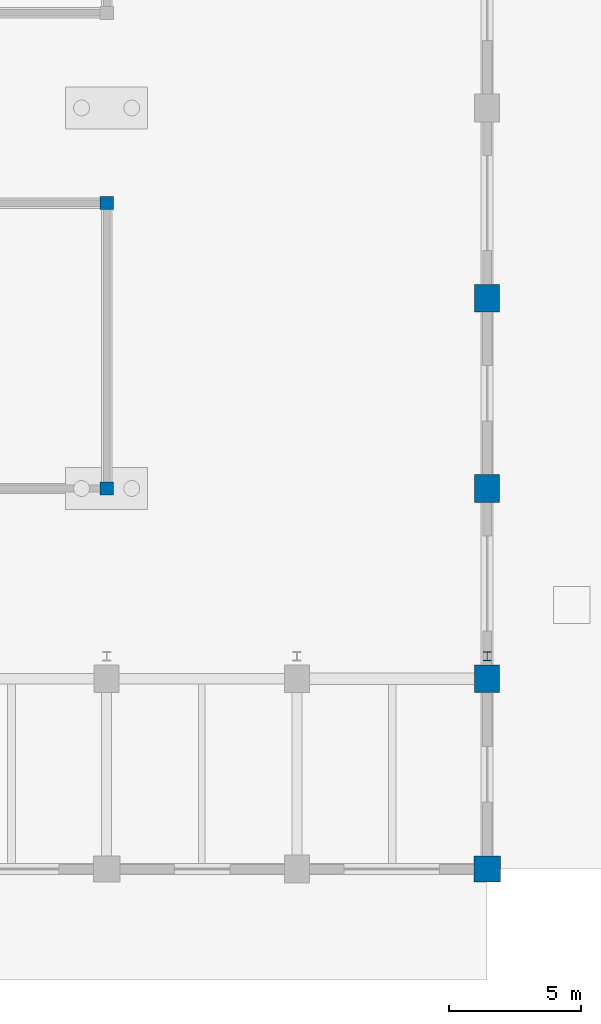
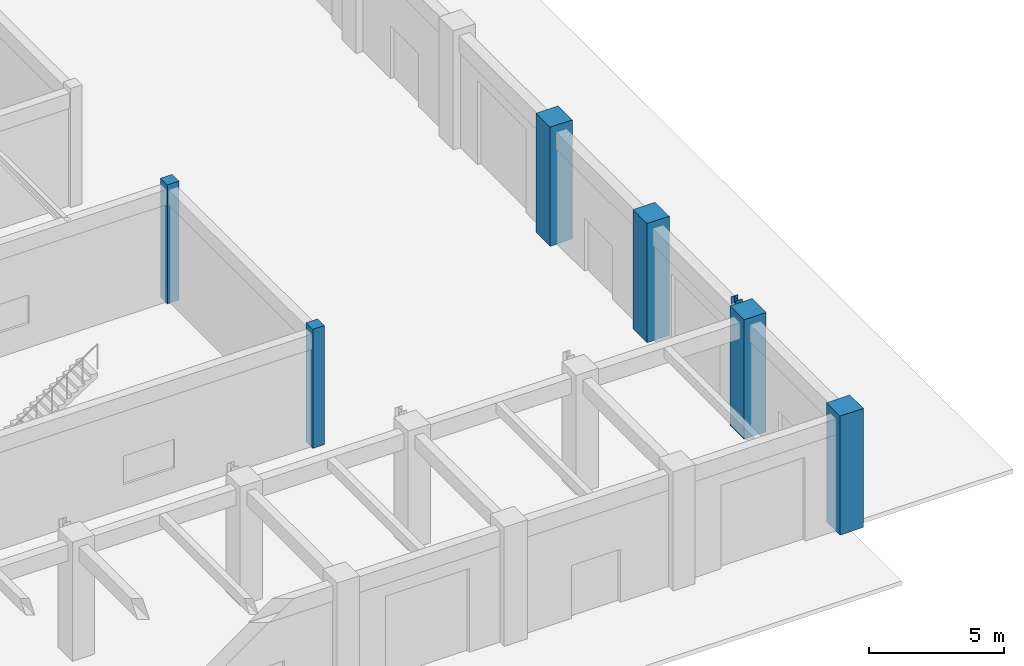
# One storey, part 10 of 160: 7 columns.
"""IFC4 building model written with IfcOpenShell, lengths in metres."""

from ifc_helpers import new_model, si_unit, direction, frame, origin, origin_2d, place, context, subcontext, project, spatial, rectangle, i_section, extrude, material, material_profile, profile_set, type_object, element, save


model = new_model("IFC4")

# Units and contexts
model_context = context("Model", 3, precision=1e-05, world=origin(), true_north=direction((0.0, 1.0)))
body_context = subcontext(model_context, "Body", "Model", "MODEL_VIEW")
ifc_project = project(units=[si_unit("LENGTHUNIT", "METRE"), si_unit("AREAUNIT", "SQUARE_METRE"), si_unit("VOLUMEUNIT", "CUBIC_METRE"), si_unit("PLANEANGLEUNIT", "RADIAN"), si_unit("MASSUNIT", "GRAM", prefix="KILO")], contexts=[model_context])

# Site, building, storey
site_placement = place(None, origin())
site = spatial("IfcSite", under=ifc_project, at=site_placement, CompositionType="ELEMENT")
building_placement = place(site_placement, origin())
building = spatial("IfcBuilding", under=site, at=building_placement, Name="Thalmaran Polytechnic", CompositionType="ELEMENT")
storey_placement = place(building_placement, origin())
storey = spatial("IfcBuildingStorey", under=building, at=storey_placement, Name="L00", CompositionType="ELEMENT", Elevation=0.0)

# Columns
ifc_material_1 = material(Name="Concrete C40/50", Category="concrete")
ifc_material_profile_1 = material_profile(ifc_material_1, rectangle(XDim=0.5, YDim=0.5, at=origin_2d()), Name="RC 500x500")
ifc_profile_set_1 = profile_set([ifc_material_profile_1], Name="Concrete C40/50")
column_type_1 = type_object("IfcColumnType", Name="COL-C09", PredefinedType="COLUMN", material=ifc_profile_set_1)
for number, where, z_axis, x_axis, name in (
    (1, (158.39990234375, 14.39990234375, 0.0), (0.0, 0.0, 1.0), (1.0, 0.0, 0.0), "POD2 Frame Column L00"),
    (2, (158.39990234375, 25.199951171875, 0.0), (0.0, 0.0, 1.0), (1.0, 0.0, 0.0), "POD2 Frame Column L00"),
):
    element("IfcColumn", number, at=place(storey_placement, frame(where, z_axis=z_axis, x_axis=x_axis)), inside=storey, type_object=column_type_1, Name=name, PredefinedType="COLUMN", context=body_context, shape_type="SweptSolid", body=[
        extrude(rectangle(XDim=0.5, YDim=0.5, at=origin_2d()), origin(), (0.0, 0.0, 1.0), 5.39990234375),
    ])
ifc_material_2 = material(Name="Steel S355", Category="steel")
ifc_material_profile_2 = material_profile(ifc_material_2, i_section(OverallWidth=0.300048828125, OverallDepth=0.340087890625, WebThickness=0.011962890625, FlangeThickness=0.021484375, at=origin_2d()), Name="HEB 340")
ifc_profile_set_2 = profile_set([ifc_material_profile_2], Name="Steel S355")
column_type_2 = type_object("IfcColumnType", Name="COL-SC1", PredefinedType="COLUMN", material=ifc_profile_set_2)
column_1_placement = place(storey_placement, frame((172.800048828125, 8.050048828125, 0.0), z_axis=(0.0, 0.0, 1.0), x_axis=(1.0, 0.0, 0.0)))
element("IfcColumn", 3, at=column_1_placement, inside=storey, type_object=column_type_2, Name="Workshop Crane Runway Column L00 (24,1)", PredefinedType="COLUMN", context=body_context, shape_type="SweptSolid", body=[
    extrude(i_section(OverallWidth=0.300048828125, OverallDepth=0.340087890625, WebThickness=0.011962890625, FlangeThickness=0.021484375, at=origin_2d()), origin(), (0.0, 0.0, 1.0), 5.39990234375),
])
ifc_material_3 = material(Name="Concrete C50/60", Category="concrete")
ifc_material_profile_3 = material_profile(ifc_material_3, rectangle(XDim=1.0, YDim=1.0, at=origin_2d()), Name="RC 1000x1000")
ifc_profile_set_3 = profile_set([ifc_material_profile_3], Name="Concrete C50/60")
column_type_3 = type_object("IfcColumnType", Name="COL-WP1", PredefinedType="COLUMN", material=ifc_profile_set_3)
column_2_placement = place(storey_placement, frame((172.800048828125, 0.0, 0.0), z_axis=(0.0, 0.0, 1.0), x_axis=(1.0, 0.0, 0.0)))
element("IfcColumn", 4, at=column_2_placement, inside=storey, type_object=column_type_3, Name="Column WP1 L00 (24,0)", PredefinedType="COLUMN", context=body_context, shape_type="SweptSolid", body=[
    extrude(rectangle(XDim=1.0, YDim=1.0, at=origin_2d()), origin(), (0.0, 0.0, 1.0), 5.39990234375),
])
ifc_material_profile_4 = material_profile(ifc_material_3, rectangle(XDim=0.949951171875, YDim=1.050048828125, at=origin_2d()), Name="RC 950x1050")
ifc_profile_set_4 = profile_set([ifc_material_profile_4], Name="Concrete C50/60")
column_type_4 = type_object("IfcColumnType", Name="COL-WP2", PredefinedType="COLUMN", material=ifc_profile_set_4)
for number, where, z_axis, x_axis, name in (
    (5, (172.800048828125, 7.199951171875, 0.0), (0.0, 0.0, 1.0), (1.0, 0.0, 0.0), "Column WP2 L00 (24,1)"),
    (6, (172.800048828125, 14.39990234375, 0.0), (0.0, 0.0, 1.0), (1.0, 0.0, 0.0), "Column WP2 L00 (24,2)"),
    (7, (172.800048828125, 21.60009765625, 0.0), (0.0, 0.0, 1.0), (1.0, 0.0, 0.0), "Column WP2 L00 (24,3)"),
):
    element("IfcColumn", number, at=place(storey_placement, frame(where, z_axis=z_axis, x_axis=x_axis)), inside=storey, type_object=column_type_4, Name=name, PredefinedType="COLUMN", context=body_context, shape_type="SweptSolid", body=[
        extrude(rectangle(XDim=0.949951171875, YDim=1.050048828125, at=origin_2d()), origin(), (0.0, 0.0, 1.0), 5.39990234375),
    ])

save(model, "model.ifc")
